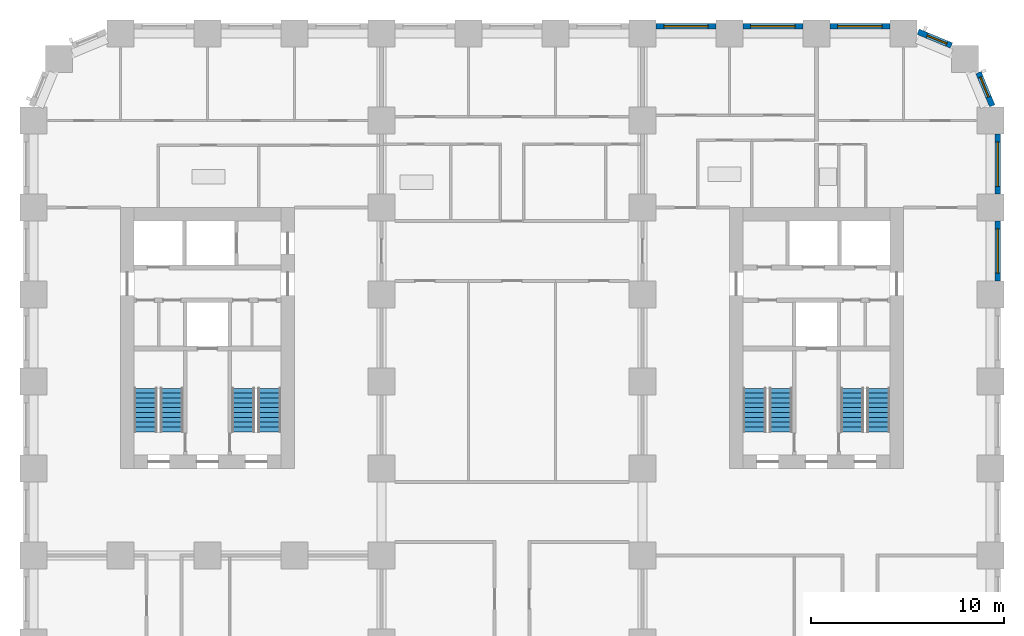
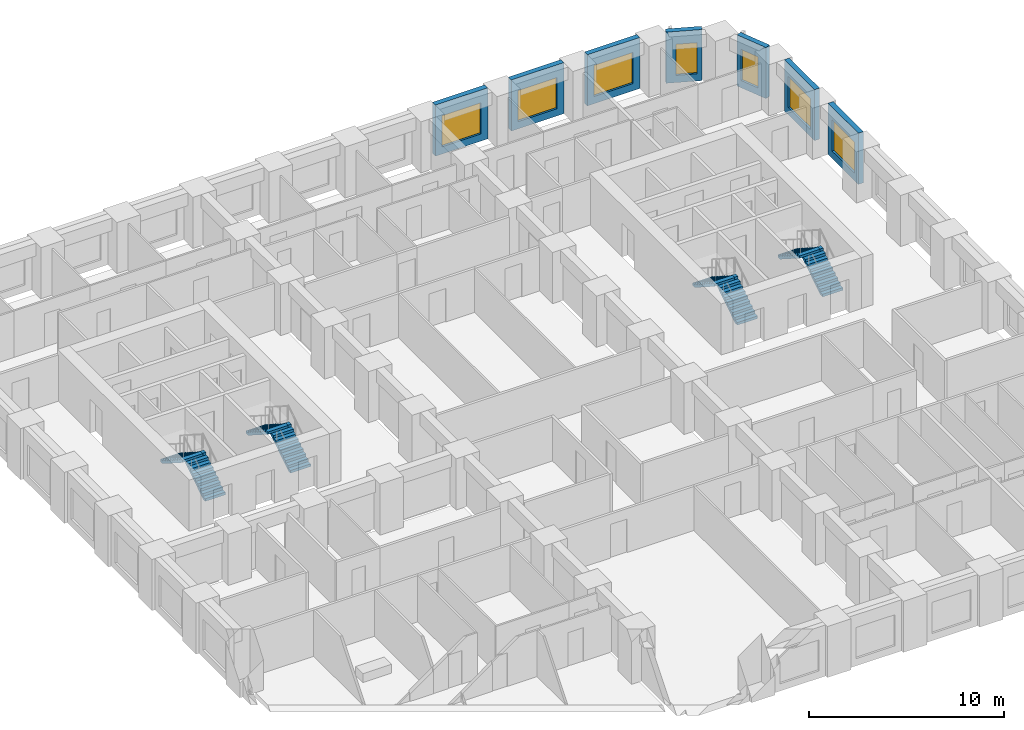
# One storey, part 10 of 13: 8 stair flights, 7 walls, 7 windows, 7 openings, 4 elements without a shape of their own.
"""IFC4 building model written with IfcOpenShell, lengths in metres."""

from ifc_helpers import new_model, si_unit, direction, frame, frame_2d, origin, place, context, subcontext, project, spatial, polyline, rectangle, outline, extrude, material, layer, layer_set, type_object, element, fill, aggregate, save


model = new_model("IFC4")

# Units and contexts
model_context = context("Model", 3, precision=1e-05, world=origin(), true_north=direction((0.0, 1.0)))
body_context = subcontext(model_context, "Body", "Model", "MODEL_VIEW")
ifc_project = project(units=[si_unit("LENGTHUNIT", "METRE"), si_unit("AREAUNIT", "SQUARE_METRE"), si_unit("VOLUMEUNIT", "CUBIC_METRE"), si_unit("PLANEANGLEUNIT", "RADIAN"), si_unit("MASSUNIT", "GRAM", prefix="KILO")], contexts=[model_context])

# Site, building, storey
site_placement = place(None, origin())
site = spatial("IfcSite", under=ifc_project, at=site_placement, CompositionType="ELEMENT")
building_placement = place(site_placement, origin())
building = spatial("IfcBuilding", under=site, at=building_placement, Name="Girih Gate Residences", CompositionType="ELEMENT")
storey_placement = place(building_placement, frame((0.0, 0.0, 56.0)))
storey = spatial("IfcBuildingStorey", under=building, at=storey_placement, Name="L14", CompositionType="ELEMENT", Elevation=56.0)

# Wall, opening, window
ifc_material_1 = material(Name="Precast concrete C50/60", Category="concrete")
ifc_layer_1 = layer(ifc_material_1, 0.080078125, Name="Outer leaf")
ifc_material_2 = material(Name="Rigid PIR insulation")
ifc_layer_2 = layer(ifc_material_2, 0.14990234375, Name="Insulation")
ifc_material_3 = material(Name="Precast concrete C40/50", Category="concrete")
ifc_layer_3 = layer(ifc_material_3, 0.070068359375, Name="Inner leaf")
ifc_layer_set = layer_set([ifc_layer_1, ifc_layer_2, ifc_layer_3], Name="Precast concrete C50/60 external wall 300")
wall_type = type_object("IfcWallType", Name="Precast concrete C50/60 external wall 300", PredefinedType="SOLIDWALL", material=ifc_layer_set)
wall_1_placement = place(storey_placement, frame((49.875, 39.800048828125, 0.0), z_axis=(0.0, 0.0, 1.0), x_axis=(0.0, -1.0, 0.0)))
wall_1 = element("IfcWall", 1, at=wall_1_placement, inside=storey, type_object=wall_type, Name="External wall E0495_0045.7", PredefinedType="SOLIDWALL", context=body_context, shape_type="SweptSolid", body=[
    extrude(rectangle(XDim=3.10009765625, YDim=0.300048828125, at=frame_2d((1.550048828125, 0.0))), origin(), (0.0, 0.0, 1.0), 3.199951171875),
])
opening_1_placement = place(wall_1_placement, frame((0.39990234375, 0.0, 0.449951171875)))
opening_1 = element("IfcOpeningElement", 2, at=opening_1_placement, cuts=wall_1, Name="Opening W-1", PredefinedType="OPENING", context=body_context, shape_type="SweptSolid", body=[
    extrude(rectangle(XDim=2.300048828125, YDim=1.949951171875, at=frame_2d((1.14990234375, 0.97509765625))), frame((0.0, 0.159912109375, 0.0), z_axis=(0.0, -1.0, 0.0), x_axis=(1.0, 0.0, 0.0)), (0.0, 0.0, 1.0), 0.320068359375),
])
ifc_material_4 = material(Name="Double glazing in aluminium frame", Category="aluminium")
window_type_1 = type_object("IfcWindowType", Name="Window W-1 2300x1950", PartitioningType="SINGLE_PANEL", PredefinedType="WINDOW", material=ifc_material_4)
window_1_placement = place(opening_1_placement, origin())
window_1 = element("IfcWindow", 3, at=window_1_placement, inside=storey, type_object=window_type_1, Name="Window W-1 E0495_0045.7", OverallHeight=1.949951171875, OverallWidth=2.300048828125, PartitioningType="SINGLE_PANEL", PredefinedType="WINDOW", context=body_context, shape_type="SweptSolid", body=[
    extrude(rectangle(XDim=2.300048828125, YDim=1.949951171875, at=frame_2d((1.14990234375, 0.97509765625))), frame((0.0, 0.030029296875, 0.0), z_axis=(0.0, -1.0, 0.0), x_axis=(1.0, 0.0, 0.0)), (0.0, 0.0, 1.0), 0.06005859375),
])
fill(opening_1, window_1)

wall_2_placement = place(storey_placement, frame((49.875, 44.300048828125, 0.0), z_axis=(0.0, 0.0, 1.0), x_axis=(0.0, -1.0, 0.0)))
wall_2 = element("IfcWall", 4, at=wall_2_placement, inside=storey, type_object=wall_type, Name="External wall E0495_0045.8", PredefinedType="SOLIDWALL", context=body_context, shape_type="SweptSolid", body=[
    extrude(rectangle(XDim=3.10009765625, YDim=0.300048828125, at=frame_2d((1.550048828125, 0.0))), origin(), (0.0, 0.0, 1.0), 3.199951171875),
])
opening_2_placement = place(wall_2_placement, frame((0.39990234375, 0.0, 0.449951171875)))
opening_2 = element("IfcOpeningElement", 5, at=opening_2_placement, cuts=wall_2, Name="Opening W-1", PredefinedType="OPENING", context=body_context, shape_type="SweptSolid", body=[
    extrude(rectangle(XDim=2.300048828125, YDim=1.949951171875, at=frame_2d((1.14990234375, 0.97509765625))), frame((0.0, 0.159912109375, 0.0), z_axis=(0.0, -1.0, 0.0), x_axis=(1.0, 0.0, 0.0)), (0.0, 0.0, 1.0), 0.320068359375),
])
window_2_placement = place(opening_2_placement, origin())
window_2 = element("IfcWindow", 6, at=window_2_placement, inside=storey, type_object=window_type_1, Name="Window W-1 E0495_0045.8", OverallHeight=1.949951171875, OverallWidth=2.300048828125, PartitioningType="SINGLE_PANEL", PredefinedType="WINDOW", context=body_context, shape_type="SweptSolid", body=[
    extrude(rectangle(XDim=2.300048828125, YDim=1.949951171875, at=frame_2d((1.14990234375, 0.97509765625))), frame((0.0, 0.030029296875, 0.0), z_axis=(0.0, -1.0, 0.0), x_axis=(1.0, 0.0, 0.0)), (0.0, 0.0, 1.0), 0.06005859375),
])
fill(opening_2, window_2)

wall_3_placement = place(storey_placement, frame((48.87841796875, 47.48046875, 0.0), z_axis=(0.0, 0.0, 1.0), x_axis=(0.38262540684, -0.923903565336, 0.0)))
wall_3 = element("IfcWall", 7, at=wall_3_placement, inside=storey, type_object=wall_type, Name="External wall NE0495_0450.0", PredefinedType="SOLIDWALL", context=body_context, shape_type="SweptSolid", body=[
    extrude(rectangle(XDim=1.864990234375, YDim=0.300048828125, at=frame_2d((0.9326171875, 0.0))), origin(), (0.0, 0.0, 1.0), 3.199951171875),
])
opening_3_placement = place(wall_3_placement, frame((0.257568359375, 0.0, 0.449951171875)))
opening_3 = element("IfcOpeningElement", 8, at=opening_3_placement, cuts=wall_3, Name="Opening W-2C", PredefinedType="OPENING", context=body_context, shape_type="SweptSolid", body=[
    extrude(rectangle(XDim=1.10009765625, YDim=1.949951171875, at=frame_2d((0.550048828125, 0.97509765625))), frame((0.0, 0.159912109375, 0.0), z_axis=(0.0, -1.0, 0.0), x_axis=(1.0, 0.0, 0.0)), (0.0, 0.0, 1.0), 0.320068359375),
])
window_type_2 = type_object("IfcWindowType", Name="Window W-2C 1100x1950", PartitioningType="SINGLE_PANEL", PredefinedType="WINDOW", material=ifc_material_4)
window_3_placement = place(opening_3_placement, origin())
window_3 = element("IfcWindow", 9, at=window_3_placement, inside=storey, type_object=window_type_2, Name="Window W-2C NE0495_0450.0", OverallHeight=1.949951171875, OverallWidth=1.10009765625, PartitioningType="SINGLE_PANEL", PredefinedType="WINDOW", context=body_context, shape_type="SweptSolid", body=[
    extrude(rectangle(XDim=1.10009765625, YDim=1.949951171875, at=frame_2d((0.550048828125, 0.97509765625))), frame((0.0, 0.030029296875, 0.0), z_axis=(0.0, -1.0, 0.0), x_axis=(1.0, 0.0, 0.0)), (0.0, 0.0, 1.0), 0.06005859375),
])
fill(opening_3, window_3)

wall_4_placement = place(storey_placement, frame((45.75732421875, 49.59228515625, 0.0), z_axis=(0.0, 0.0, 1.0), x_axis=(0.923857286003, -0.382737135771, 0.0)))
wall_4 = element("IfcWall", 10, at=wall_4_placement, inside=storey, type_object=wall_type, Name="External wall NE0482_0482.0", PredefinedType="SOLIDWALL", context=body_context, shape_type="SweptSolid", body=[
    extrude(rectangle(XDim=1.865234375, YDim=0.300048828125, at=frame_2d((0.9326171875, 0.0))), origin(), (0.0, 0.0, 1.0), 3.199951171875),
])
opening_4_placement = place(wall_4_placement, frame((0.507568359375, 0.0, 0.449951171875)))
opening_4 = element("IfcOpeningElement", 11, at=opening_4_placement, cuts=wall_4, Name="Opening W-2C", PredefinedType="OPENING", context=body_context, shape_type="SweptSolid", body=[
    extrude(rectangle(XDim=1.10009765625, YDim=1.949951171875, at=frame_2d((0.550048828125, 0.97509765625))), frame((0.0, 0.159912109375, 0.0), z_axis=(0.0, -1.0, 0.0), x_axis=(1.0, 0.0, 0.0)), (0.0, 0.0, 1.0), 0.320068359375),
])
window_4_placement = place(opening_4_placement, origin())
window_4 = element("IfcWindow", 12, at=window_4_placement, inside=storey, type_object=window_type_2, Name="Window W-2C NE0482_0482.0", OverallHeight=1.949951171875, OverallWidth=1.10009765625, PartitioningType="SINGLE_PANEL", PredefinedType="WINDOW", context=body_context, shape_type="SweptSolid", body=[
    extrude(rectangle(XDim=1.10009765625, YDim=1.949951171875, at=frame_2d((0.550048828125, 0.97509765625))), frame((0.0, 0.030029296875, 0.0), z_axis=(0.0, -1.0, 0.0), x_axis=(1.0, 0.0, 0.0)), (0.0, 0.0, 1.0), 0.06005859375),
])
fill(opening_4, window_4)

wall_5_placement = place(storey_placement, frame((41.199951171875, 49.875, 0.0), z_axis=(0.0, 0.0, 1.0), x_axis=(1.0, 0.0, 0.0)))
wall_5 = element("IfcWall", 13, at=wall_5_placement, inside=storey, type_object=wall_type, Name="External wall N0450_0495.0", PredefinedType="SOLIDWALL", context=body_context, shape_type="SweptSolid", body=[
    extrude(rectangle(XDim=3.10009765625, YDim=0.300048828125, at=frame_2d((1.550048828125, 0.0))), origin(), (0.0, 0.0, 1.0), 3.199951171875),
])
opening_5_placement = place(wall_5_placement, frame((0.39990234375, 0.0, 0.449951171875)))
opening_5 = element("IfcOpeningElement", 14, at=opening_5_placement, cuts=wall_5, Name="Opening W-1", PredefinedType="OPENING", context=body_context, shape_type="SweptSolid", body=[
    extrude(rectangle(XDim=2.300048828125, YDim=1.949951171875, at=frame_2d((1.14990234375, 0.97509765625))), frame((0.0, 0.159912109375, 0.0), z_axis=(0.0, -1.0, 0.0), x_axis=(1.0, 0.0, 0.0)), (0.0, 0.0, 1.0), 0.320068359375),
])
window_5_placement = place(opening_5_placement, origin())
window_5 = element("IfcWindow", 15, at=window_5_placement, inside=storey, type_object=window_type_1, Name="Window W-1 N0450_0495.0", OverallHeight=1.949951171875, OverallWidth=2.300048828125, PartitioningType="SINGLE_PANEL", PredefinedType="WINDOW", context=body_context, shape_type="SweptSolid", body=[
    extrude(rectangle(XDim=2.300048828125, YDim=1.949951171875, at=frame_2d((1.14990234375, 0.97509765625))), frame((0.0, 0.030029296875, 0.0), z_axis=(0.0, -1.0, 0.0), x_axis=(1.0, 0.0, 0.0)), (0.0, 0.0, 1.0), 0.06005859375),
])
fill(opening_5, window_5)

wall_6_placement = place(storey_placement, frame((36.699951171875, 49.875, 0.0), z_axis=(0.0, 0.0, 1.0), x_axis=(1.0, 0.0, 0.0)))
wall_6 = element("IfcWall", 16, at=wall_6_placement, inside=storey, type_object=wall_type, Name="External wall N0450_0495.1", PredefinedType="SOLIDWALL", context=body_context, shape_type="SweptSolid", body=[
    extrude(rectangle(XDim=3.10009765625, YDim=0.300048828125, at=frame_2d((1.550048828125, 0.0))), origin(), (0.0, 0.0, 1.0), 3.199951171875),
])
opening_6_placement = place(wall_6_placement, frame((0.39990234375, 0.0, 0.449951171875)))
opening_6 = element("IfcOpeningElement", 17, at=opening_6_placement, cuts=wall_6, Name="Opening W-1", PredefinedType="OPENING", context=body_context, shape_type="SweptSolid", body=[
    extrude(rectangle(XDim=2.300048828125, YDim=1.949951171875, at=frame_2d((1.14990234375, 0.97509765625))), frame((0.0, 0.159912109375, 0.0), z_axis=(0.0, -1.0, 0.0), x_axis=(1.0, 0.0, 0.0)), (0.0, 0.0, 1.0), 0.320068359375),
])
window_6_placement = place(opening_6_placement, origin())
window_6 = element("IfcWindow", 18, at=window_6_placement, inside=storey, type_object=window_type_1, Name="Window W-1 N0450_0495.1", OverallHeight=1.949951171875, OverallWidth=2.300048828125, PartitioningType="SINGLE_PANEL", PredefinedType="WINDOW", context=body_context, shape_type="SweptSolid", body=[
    extrude(rectangle(XDim=2.300048828125, YDim=1.949951171875, at=frame_2d((1.14990234375, 0.97509765625))), frame((0.0, 0.030029296875, 0.0), z_axis=(0.0, -1.0, 0.0), x_axis=(1.0, 0.0, 0.0)), (0.0, 0.0, 1.0), 0.06005859375),
])
fill(opening_6, window_6)

wall_7_placement = place(storey_placement, frame((32.199951171875, 49.875, 0.0), z_axis=(0.0, 0.0, 1.0), x_axis=(1.0, 0.0, 0.0)))
wall_7 = element("IfcWall", 19, at=wall_7_placement, inside=storey, type_object=wall_type, Name="External wall N0450_0495.2", PredefinedType="SOLIDWALL", context=body_context, shape_type="SweptSolid", body=[
    extrude(rectangle(XDim=3.10009765625, YDim=0.300048828125, at=frame_2d((1.550048828125, 0.0))), origin(), (0.0, 0.0, 1.0), 3.199951171875),
])
opening_7_placement = place(wall_7_placement, frame((0.39990234375, 0.0, 0.449951171875)))
opening_7 = element("IfcOpeningElement", 20, at=opening_7_placement, cuts=wall_7, Name="Opening W-1", PredefinedType="OPENING", context=body_context, shape_type="SweptSolid", body=[
    extrude(rectangle(XDim=2.300048828125, YDim=1.949951171875, at=frame_2d((1.14990234375, 0.97509765625))), frame((0.0, 0.159912109375, 0.0), z_axis=(0.0, -1.0, 0.0), x_axis=(1.0, 0.0, 0.0)), (0.0, 0.0, 1.0), 0.320068359375),
])
window_7_placement = place(opening_7_placement, origin())
window_7 = element("IfcWindow", 21, at=window_7_placement, inside=storey, type_object=window_type_1, Name="Window W-1 N0450_0495.2", OverallHeight=1.949951171875, OverallWidth=2.300048828125, PartitioningType="SINGLE_PANEL", PredefinedType="WINDOW", context=body_context, shape_type="SweptSolid", body=[
    extrude(rectangle(XDim=2.300048828125, YDim=1.949951171875, at=frame_2d((1.14990234375, 0.97509765625))), frame((0.0, 0.030029296875, 0.0), z_axis=(0.0, -1.0, 0.0), x_axis=(1.0, 0.0, 0.0)), (0.0, 0.0, 1.0), 0.06005859375),
])
fill(opening_7, window_7)

# Stair, stair flights
ifc_material_5 = material(Name="Concrete C40/50", Category="concrete")
stair_type = type_object("IfcStairType", Name="Exit stair", PredefinedType="HALF_TURN_STAIR", material=ifc_material_5)
stair_1_placement = place(storey_placement, origin())
stair_1 = element("IfcStair", 22, at=stair_1_placement, inside=storey, type_object=stair_type, Name="L14 Exit Stair ST-W1", PredefinedType="HALF_TURN_STAIR")
stair_flight_type = type_object("IfcStairFlightType", Name="Stair flight 1200", PredefinedType="STRAIGHT", material=ifc_material_5)
stair_flight_1_placement = place(storey_placement, frame((7.14990234375, 28.89990234375, 0.0), z_axis=(0.0, 0.0, 1.0), x_axis=(0.0, 1.0, 0.0)))
stair_flight_1 = element("IfcStairFlight", 23, at=stair_flight_1_placement, type_object=stair_flight_type, Name="ST-W1 flight 1", NumberOfRisers=10, NumberOfTreads=9, PredefinedType="STRAIGHT", RiserHeight=0.16, TreadLength=0.25, context=body_context, shape_type="SweptSolid", body=[
    extrude(outline(polyline([(0.0, 0.0), (0.0, 0.159912109375), (0.25, 0.159912109375), (0.25, 0.320068359375), (0.5, 0.320068359375), (0.5, 0.47998046875), (0.75, 0.47998046875), (0.75, 0.639892578125), (1.0, 0.639892578125), (1.0, 0.800048828125), (1.25, 0.800048828125), (1.25, 0.9599609375), (1.5, 0.9599609375), (1.5, 1.1201171875), (1.75, 1.1201171875), (1.75, 1.280029296875), (2.0, 1.280029296875), (2.0, 1.43994140625), (2.25, 1.43994140625), (2.25, 1.60009765625), (2.25, 1.29736328125), (0.222900390625, 0.0), (0.0, 0.0)])), frame((0.0, 0.60009765625, 0.0), z_axis=(0.0, -1.0, 0.0), x_axis=(1.0, 0.0, 0.0)), (0.0, 0.0, 1.0), 1.199951171875),
])
stair_flight_2_placement = place(storey_placement, frame((5.800048828125, 31.14990234375, 1.60009765625), z_axis=(0.0, 0.0, 1.0), x_axis=(0.0, -1.0, 0.0)))
stair_flight_2 = element("IfcStairFlight", 24, at=stair_flight_2_placement, type_object=stair_flight_type, Name="ST-W1 flight 2", NumberOfRisers=10, NumberOfTreads=9, PredefinedType="STRAIGHT", RiserHeight=0.16, TreadLength=0.25, context=body_context, shape_type="SweptSolid", body=[
    extrude(outline(polyline([(0.0, 0.0), (0.0, 0.159912109375), (0.25, 0.159912109375), (0.25, 0.320068359375), (0.5, 0.320068359375), (0.5, 0.47998046875), (0.75, 0.47998046875), (0.75, 0.639892578125), (1.0, 0.639892578125), (1.0, 0.800048828125), (1.25, 0.800048828125), (1.25, 0.9599609375), (1.5, 0.9599609375), (1.5, 1.1201171875), (1.75, 1.1201171875), (1.75, 1.280029296875), (2.0, 1.280029296875), (2.0, 1.43994140625), (2.25, 1.43994140625), (2.25, 1.60009765625), (2.25, 1.29736328125), (0.222900390625, 0.0), (0.0, 0.0)])), frame((0.0, 0.60009765625, 0.0), z_axis=(0.0, -1.0, 0.0), x_axis=(1.0, 0.0, 0.0)), (0.0, 0.0, 1.0), 1.199951171875),
])
aggregate(stair_1, [stair_flight_1, stair_flight_2])

stair_2_placement = place(storey_placement, origin())
stair_2 = element("IfcStair", 25, at=stair_2_placement, inside=storey, type_object=stair_type, Name="L14 Exit Stair ST-W2", PredefinedType="HALF_TURN_STAIR")
stair_flight_3_placement = place(storey_placement, frame((12.199951171875, 28.89990234375, 0.0), z_axis=(0.0, 0.0, 1.0), x_axis=(0.0, 1.0, 0.0)))
stair_flight_3 = element("IfcStairFlight", 26, at=stair_flight_3_placement, type_object=stair_flight_type, Name="ST-W2 flight 1", NumberOfRisers=10, NumberOfTreads=9, PredefinedType="STRAIGHT", RiserHeight=0.16, TreadLength=0.25, context=body_context, shape_type="SweptSolid", body=[
    extrude(outline(polyline([(0.0, 0.0), (0.0, 0.159912109375), (0.25, 0.159912109375), (0.25, 0.320068359375), (0.5, 0.320068359375), (0.5, 0.47998046875), (0.75, 0.47998046875), (0.75, 0.639892578125), (1.0, 0.639892578125), (1.0, 0.800048828125), (1.25, 0.800048828125), (1.25, 0.9599609375), (1.5, 0.9599609375), (1.5, 1.1201171875), (1.75, 1.1201171875), (1.75, 1.280029296875), (2.0, 1.280029296875), (2.0, 1.43994140625), (2.25, 1.43994140625), (2.25, 1.60009765625), (2.25, 1.29736328125), (0.222900390625, 0.0), (0.0, 0.0)])), frame((0.0, 0.60009765625, 0.0), z_axis=(0.0, -1.0, 0.0), x_axis=(1.0, 0.0, 0.0)), (0.0, 0.0, 1.0), 1.199951171875),
])
stair_flight_4_placement = place(storey_placement, frame((10.85009765625, 31.14990234375, 1.60009765625), z_axis=(0.0, 0.0, 1.0), x_axis=(0.0, -1.0, 0.0)))
stair_flight_4 = element("IfcStairFlight", 27, at=stair_flight_4_placement, type_object=stair_flight_type, Name="ST-W2 flight 2", NumberOfRisers=10, NumberOfTreads=9, PredefinedType="STRAIGHT", RiserHeight=0.16, TreadLength=0.25, context=body_context, shape_type="SweptSolid", body=[
    extrude(outline(polyline([(0.0, 0.0), (0.0, 0.159912109375), (0.25, 0.159912109375), (0.25, 0.320068359375), (0.5, 0.320068359375), (0.5, 0.47998046875), (0.75, 0.47998046875), (0.75, 0.639892578125), (1.0, 0.639892578125), (1.0, 0.800048828125), (1.25, 0.800048828125), (1.25, 0.9599609375), (1.5, 0.9599609375), (1.5, 1.1201171875), (1.75, 1.1201171875), (1.75, 1.280029296875), (2.0, 1.280029296875), (2.0, 1.43994140625), (2.25, 1.43994140625), (2.25, 1.60009765625), (2.25, 1.29736328125), (0.222900390625, 0.0), (0.0, 0.0)])), frame((0.0, 0.60009765625, 0.0), z_axis=(0.0, -1.0, 0.0), x_axis=(1.0, 0.0, 0.0)), (0.0, 0.0, 1.0), 1.199951171875),
])
aggregate(stair_2, [stair_flight_3, stair_flight_4])

stair_3_placement = place(storey_placement, origin())
stair_3 = element("IfcStair", 28, at=stair_3_placement, inside=storey, type_object=stair_type, Name="L14 Exit Stair ST-E1", PredefinedType="HALF_TURN_STAIR")
stair_flight_5_placement = place(storey_placement, frame((43.699951171875, 28.89990234375, 0.0), z_axis=(0.0, 0.0, 1.0), x_axis=(0.0, 1.0, 0.0)))
stair_flight_5 = element("IfcStairFlight", 29, at=stair_flight_5_placement, type_object=stair_flight_type, Name="ST-E1 flight 1", NumberOfRisers=10, NumberOfTreads=9, PredefinedType="STRAIGHT", RiserHeight=0.16, TreadLength=0.25, context=body_context, shape_type="SweptSolid", body=[
    extrude(outline(polyline([(0.0, 0.0), (0.0, 0.159912109375), (0.25, 0.159912109375), (0.25, 0.320068359375), (0.5, 0.320068359375), (0.5, 0.47998046875), (0.75, 0.47998046875), (0.75, 0.639892578125), (1.0, 0.639892578125), (1.0, 0.800048828125), (1.25, 0.800048828125), (1.25, 0.9599609375), (1.5, 0.9599609375), (1.5, 1.1201171875), (1.75, 1.1201171875), (1.75, 1.280029296875), (2.0, 1.280029296875), (2.0, 1.43994140625), (2.25, 1.43994140625), (2.25, 1.60009765625), (2.25, 1.29736328125), (0.222900390625, 0.0), (0.0, 0.0)])), frame((0.0, 0.60009765625, 0.0), z_axis=(0.0, -1.0, 0.0), x_axis=(1.0, 0.0, 0.0)), (0.0, 0.0, 1.0), 1.199951171875),
])
stair_flight_6_placement = place(storey_placement, frame((42.35009765625, 31.14990234375, 1.60009765625), z_axis=(0.0, 0.0, 1.0), x_axis=(0.0, -1.0, 0.0)))
stair_flight_6 = element("IfcStairFlight", 30, at=stair_flight_6_placement, type_object=stair_flight_type, Name="ST-E1 flight 2", NumberOfRisers=10, NumberOfTreads=9, PredefinedType="STRAIGHT", RiserHeight=0.16, TreadLength=0.25, context=body_context, shape_type="SweptSolid", body=[
    extrude(outline(polyline([(0.0, 0.0), (0.0, 0.159912109375), (0.25, 0.159912109375), (0.25, 0.320068359375), (0.5, 0.320068359375), (0.5, 0.47998046875), (0.75, 0.47998046875), (0.75, 0.639892578125), (1.0, 0.639892578125), (1.0, 0.800048828125), (1.25, 0.800048828125), (1.25, 0.9599609375), (1.5, 0.9599609375), (1.5, 1.1201171875), (1.75, 1.1201171875), (1.75, 1.280029296875), (2.0, 1.280029296875), (2.0, 1.43994140625), (2.25, 1.43994140625), (2.25, 1.60009765625), (2.25, 1.29736328125), (0.222900390625, 0.0), (0.0, 0.0)])), frame((0.0, 0.60009765625, 0.0), z_axis=(0.0, -1.0, 0.0), x_axis=(1.0, 0.0, 0.0)), (0.0, 0.0, 1.0), 1.199951171875),
])
aggregate(stair_3, [stair_flight_5, stair_flight_6])

stair_4_placement = place(storey_placement, origin())
stair_4 = element("IfcStair", 31, at=stair_4_placement, inside=storey, type_object=stair_type, Name="L14 Exit Stair ST-E2", PredefinedType="HALF_TURN_STAIR")
stair_flight_7_placement = place(storey_placement, frame((38.64990234375, 28.89990234375, 0.0), z_axis=(0.0, 0.0, 1.0), x_axis=(0.0, 1.0, 0.0)))
stair_flight_7 = element("IfcStairFlight", 32, at=stair_flight_7_placement, type_object=stair_flight_type, Name="ST-E2 flight 1", NumberOfRisers=10, NumberOfTreads=9, PredefinedType="STRAIGHT", RiserHeight=0.16, TreadLength=0.25, context=body_context, shape_type="SweptSolid", body=[
    extrude(outline(polyline([(0.0, 0.0), (0.0, 0.159912109375), (0.25, 0.159912109375), (0.25, 0.320068359375), (0.5, 0.320068359375), (0.5, 0.47998046875), (0.75, 0.47998046875), (0.75, 0.639892578125), (1.0, 0.639892578125), (1.0, 0.800048828125), (1.25, 0.800048828125), (1.25, 0.9599609375), (1.5, 0.9599609375), (1.5, 1.1201171875), (1.75, 1.1201171875), (1.75, 1.280029296875), (2.0, 1.280029296875), (2.0, 1.43994140625), (2.25, 1.43994140625), (2.25, 1.60009765625), (2.25, 1.29736328125), (0.222900390625, 0.0), (0.0, 0.0)])), frame((0.0, 0.60009765625, 0.0), z_axis=(0.0, -1.0, 0.0), x_axis=(1.0, 0.0, 0.0)), (0.0, 0.0, 1.0), 1.199951171875),
])
stair_flight_8_placement = place(storey_placement, frame((37.300048828125, 31.14990234375, 1.60009765625), z_axis=(0.0, 0.0, 1.0), x_axis=(0.0, -1.0, 0.0)))
stair_flight_8 = element("IfcStairFlight", 33, at=stair_flight_8_placement, type_object=stair_flight_type, Name="ST-E2 flight 2", NumberOfRisers=10, NumberOfTreads=9, PredefinedType="STRAIGHT", RiserHeight=0.16, TreadLength=0.25, context=body_context, shape_type="SweptSolid", body=[
    extrude(outline(polyline([(0.0, 0.0), (0.0, 0.159912109375), (0.25, 0.159912109375), (0.25, 0.320068359375), (0.5, 0.320068359375), (0.5, 0.47998046875), (0.75, 0.47998046875), (0.75, 0.639892578125), (1.0, 0.639892578125), (1.0, 0.800048828125), (1.25, 0.800048828125), (1.25, 0.9599609375), (1.5, 0.9599609375), (1.5, 1.1201171875), (1.75, 1.1201171875), (1.75, 1.280029296875), (2.0, 1.280029296875), (2.0, 1.43994140625), (2.25, 1.43994140625), (2.25, 1.60009765625), (2.25, 1.29736328125), (0.222900390625, 0.0), (0.0, 0.0)])), frame((0.0, 0.60009765625, 0.0), z_axis=(0.0, -1.0, 0.0), x_axis=(1.0, 0.0, 0.0)), (0.0, 0.0, 1.0), 1.199951171875),
])
aggregate(stair_4, [stair_flight_7, stair_flight_8])

save(model, "model.ifc")
